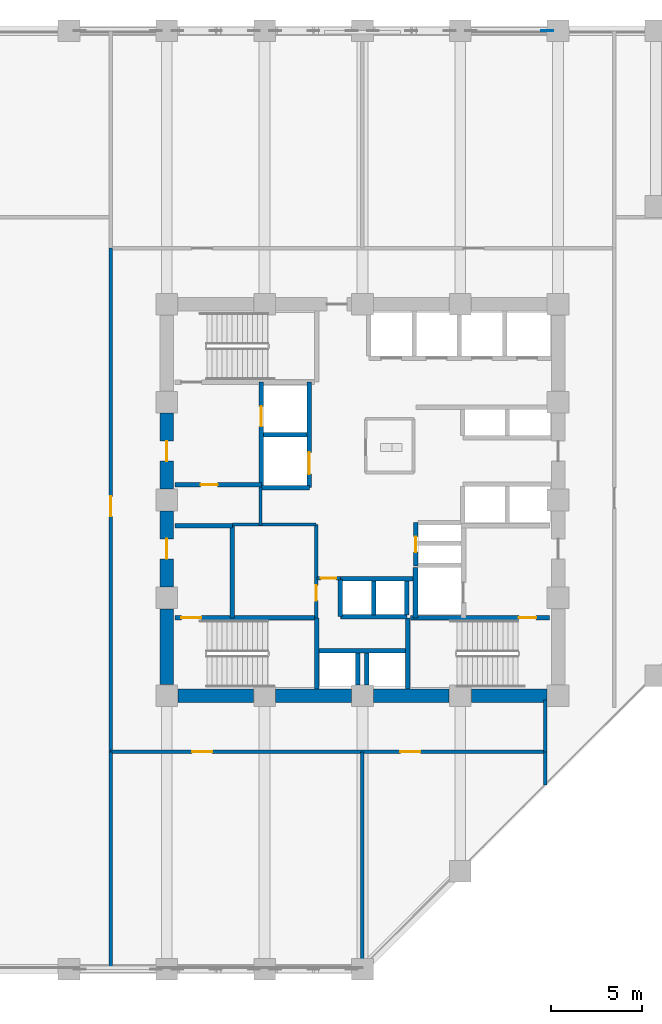
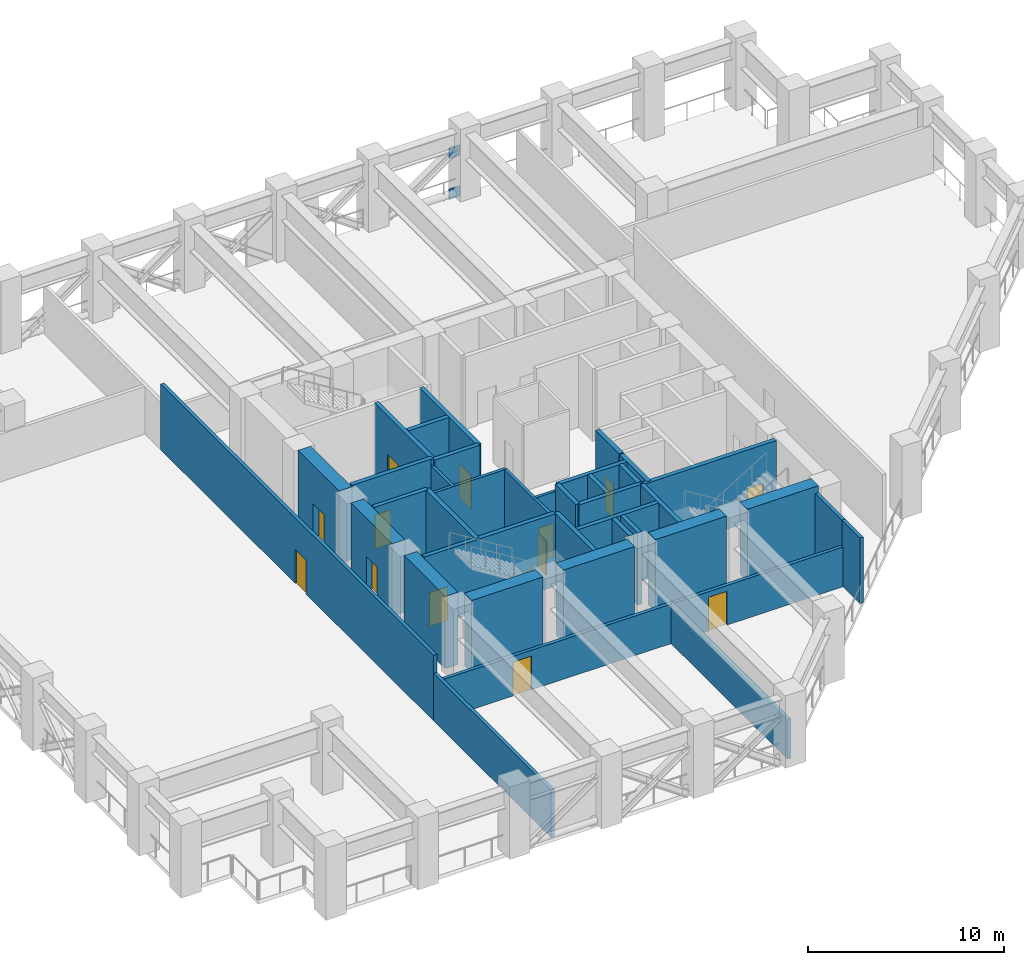
# One storey, part 4 of 12: 38 walls, 13 doors, 2 plates, 13 openings.
"""IFC4 building model written with IfcOpenShell, lengths in metres."""

import ifcopenshell
import ifcopenshell.guid

model = None  # the IFC model being written
_history = None  # IfcOwnerHistory: only IFC2X3 demands one
_inside = {}  # id of a spatial element -> (the spatial element, [elements in it])
_under = {}  # id of a project, library or spatial element -> (it, [spatial elements below it])
_declared = {}  # id of a project -> (the project, [libraries it declares])
_typed = {}  # id of a type object -> (the type object, [elements of that type])
_made_of = {}  # id of a material, layer set ... -> (it, [elements and type objects made of it])


def new_model(schema):
    """Start an empty IFC model of exactly this schema.

    Asked for "IFC4X3", IfcOpenShell would pick the latest addendum, in which some entities
    have other attributes; the version numbers below select the first issue.
    IFC2X3 requires an IfcOwnerHistory on every rooted entity: one is made here for all.
    """
    global model, _history
    if schema == "IFC4X3":
        model = ifcopenshell.file(schema_version=(4, 3, 0, 0))
    else:
        model = ifcopenshell.file(schema=schema)
    _inside.clear()
    _under.clear()
    _declared.clear()
    _typed.clear()
    _made_of.clear()
    _history = None
    if model.schema == "IFC2X3":
        org = make("IfcOrganization", Name="unknown")
        user = make(
            "IfcPersonAndOrganization",
            ThePerson=make("IfcPerson", FamilyName="unknown"),
            TheOrganization=org,
        )
        app = make(
            "IfcApplication",
            ApplicationDeveloper=org,
            Version="unknown",
            ApplicationFullName="unknown",
            ApplicationIdentifier="unknown",
        )
        _history = make(
            "IfcOwnerHistory",
            OwningUser=user,
            OwningApplication=app,
            ChangeAction="ADDED",
            CreationDate=0,
        )
    return model


def make(cls, **values):
    """One entity of the class cls with the attributes given. An attribute that is None is left unset."""
    return model.create_entity(
        cls, **{name: value for name, value in values.items() if value is not None}
    )


def rooted(cls, **values):
    """An entity with a GlobalId (a new one), such as an element, a storey or a relation."""
    return make(cls, GlobalId=ifcopenshell.guid.new(), OwnerHistory=_history, **values)


def si_unit(unit_type, name, prefix=None):
    """IfcSIUnit, for example si_unit("LENGTHUNIT", "METRE", prefix="MILLI")."""
    return make("IfcSIUnit", UnitType=unit_type, Prefix=prefix, Name=name)


def assignment(units):
    """IfcUnitAssignment: the units of a project."""
    return None if units is None else make("IfcUnitAssignment", Units=units)


def point(xyz):
    """IfcCartesianPoint."""
    return None if xyz is None else make("IfcCartesianPoint", Coordinates=xyz)


def direction(xyz):
    """IfcDirection."""
    return None if xyz is None else make("IfcDirection", DirectionRatios=xyz)


def frame(location, z_axis=None, x_axis=None):
    """IfcAxis2Placement3D, a coordinate frame: its origin and axes. An axis left out is left unset."""
    return make(
        "IfcAxis2Placement3D",
        Location=point(location),
        Axis=direction(z_axis),
        RefDirection=direction(x_axis),
    )


def frame_2d(location, x_axis=None):
    """IfcAxis2Placement2D, a coordinate frame in the plane: its origin and x axis."""
    return make(
        "IfcAxis2Placement2D", Location=point(location), RefDirection=direction(x_axis)
    )


def origin():
    """The frame at (0, 0, 0) with its axes left unset."""
    return frame((0.0, 0.0, 0.0))


def origin_2d():
    """The frame at (0, 0) in the plane with its x axis left unset."""
    return frame_2d((0.0, 0.0))


def place(relative_to, where):
    """IfcLocalPlacement: puts the frame where relative to a parent placement (None: the world)."""
    return make(
        "IfcLocalPlacement", PlacementRelTo=relative_to, RelativePlacement=where
    )


def context(
    kind, dimensions, precision=None, world=None, true_north=None, identifier=None
):
    """IfcGeometricRepresentationContext, for example the 3D "Model" context."""
    return make(
        "IfcGeometricRepresentationContext",
        ContextIdentifier=identifier,
        ContextType=kind,
        CoordinateSpaceDimension=dimensions,
        Precision=precision,
        WorldCoordinateSystem=world,
        TrueNorth=true_north,
    )


def subcontext(parent, identifier, kind, view, scale=None):
    """IfcGeometricRepresentationSubContext, for example "Body" below "Model"."""
    return make(
        "IfcGeometricRepresentationSubContext",
        ContextIdentifier=identifier,
        ContextType=kind,
        ParentContext=parent,
        TargetScale=scale,
        TargetView=view,
    )


def project(units=None, contexts=None):
    """IfcProject with its units and contexts."""
    return rooted(
        "IfcProject",
        Name="project",
        RepresentationContexts=contexts,
        UnitsInContext=assignment(units),
    )


def spatial(cls, under=None, at=None, **own):
    """A site, building, storey or space (cls), placed at a placement, below another one or the project."""
    s = rooted(cls, ObjectPlacement=at, **own)
    if under is not None:
        _under.setdefault(under.id(), (under, []))[1].append(s)
    return s


def profile(cls, at=None, kind="AREA", **sizes):
    """A parametric profile (cls). Its sizes go by their IFC names, for example OverallWidth=200.0."""
    return make(cls, ProfileType=kind, Position=at, **sizes)


def rectangle(**sizes):
    """IfcRectangleProfileDef."""
    return profile("IfcRectangleProfileDef", **sizes)


def extrude(swept, where, along, depth):
    """IfcExtrudedAreaSolid: the profile swept, set in the frame where, extruded along a direction by depth."""
    return make(
        "IfcExtrudedAreaSolid",
        SweptArea=swept,
        Position=where,
        ExtrudedDirection=direction(along),
        Depth=depth,
    )


def shape(context_of_items, identifier, shape_type, items):
    """IfcShapeRepresentation: the items that make up one representation, for example the "Body"."""
    return make(
        "IfcShapeRepresentation",
        ContextOfItems=context_of_items,
        RepresentationIdentifier=identifier,
        RepresentationType=shape_type,
        Items=items,
    )


def material(Name=None, Category=None):
    """IfcMaterial."""
    return make("IfcMaterial", Name=Name, Category=Category)


def layer(
    of_material, thickness, ventilated=None, Name=None, Category=None, Priority=None
):
    """IfcMaterialLayer: one layer of a wall or slab, of a material (None: an air gap)."""
    return make(
        "IfcMaterialLayer",
        Material=of_material,
        LayerThickness=thickness,
        IsVentilated=ventilated,
        Name=Name,
        Category=Category,
        Priority=Priority,
    )


def layer_set(layers, Name=None):
    """IfcMaterialLayerSet."""
    return make("IfcMaterialLayerSet", MaterialLayers=layers, LayerSetName=Name)


def made_of(thing, what):
    """Note that an element or type object is made of a material, layer set ...; save() writes the relation."""
    if what is not None:
        _made_of.setdefault(what.id(), (what, []))[1].append(thing)
    return thing


def type_object(cls, material=None, **own):
    """A type object (cls), such as IfcWallType, which elements share."""
    return made_of(rooted(cls, **own), material)


def element(
    cls,
    number,
    at=None,
    inside=None,
    cuts=None,
    type_object=None,
    material=None,
    context=None,
    identifier="Body",
    shape_type=None,
    held_by="IfcProductDefinitionShape",
    body=None,
    shapes=None,
    **own,
):
    """One element of the class cls, such as IfcWall. Its Tag is "e" and its number.

    at: its placement. inside: the storey or other place that contains it. cuts: it is an
    opening in that element (IfcRelVoidsElement). A single representation is given by context,
    identifier, shape_type and body (its items); several are given by shapes. held_by: the class
    of the entity that holds the representations. save() writes the other relations.
    """
    e = rooted(cls, Tag="e%d" % number, ObjectPlacement=at, **own)
    if body is not None:
        shapes = [shape(context, identifier, shape_type, body)]
    if shapes is not None:
        e.Representation = make(held_by, Representations=shapes)
    if inside is not None:
        _inside.setdefault(inside.id(), (inside, []))[1].append(e)
    if cuts is not None:
        rooted(
            "IfcRelVoidsElement", RelatingBuildingElement=cuts, RelatedOpeningElement=e
        )
    if type_object is not None:
        _typed.setdefault(type_object.id(), (type_object, []))[1].append(e)
    return made_of(e, material)


def fill(opening, filler):
    """IfcRelFillsElement: the door or window that sits in an opening."""
    return rooted(
        "IfcRelFillsElement",
        RelatingOpeningElement=opening,
        RelatedBuildingElement=filler,
    )


def aggregate(whole, parts):
    """IfcRelAggregates: a whole, such as a stair, and the parts it consists of."""
    return rooted("IfcRelAggregates", RelatingObject=whole, RelatedObjects=parts)


def save(model, path):
    """Write the relations noted so far, then the file.

    IfcRelAggregates (storeys below a building ...), IfcRelContainedInSpatialStructure (elements
    in a storey), IfcRelDefinesByType, IfcRelAssociatesMaterial and IfcRelDeclares: one each for
    every whole, place, type object, material and project.
    """
    for whole, parts in _under.values():
        aggregate(whole, parts)
    for where, things in _inside.values():
        rooted(
            "IfcRelContainedInSpatialStructure",
            RelatedElements=things,
            RelatingStructure=where,
        )
    for kind, things in _typed.values():
        rooted("IfcRelDefinesByType", RelatedObjects=things, RelatingType=kind)
    for what, things in _made_of.values():
        rooted("IfcRelAssociatesMaterial", RelatedObjects=things, RelatingMaterial=what)
    for by, libraries in _declared.values():
        rooted("IfcRelDeclares", RelatingContext=by, RelatedDefinitions=libraries)
    model.write(path)


model = new_model("IFC4")

# Units and contexts
model_context = context("Model", 3, precision=1e-05, world=origin(), true_north=direction((0.0, 1.0)))
body_context = subcontext(model_context, "Body", "Model", "MODEL_VIEW")
ifc_project = project(units=[si_unit("LENGTHUNIT", "METRE"), si_unit("AREAUNIT", "SQUARE_METRE"), si_unit("VOLUMEUNIT", "CUBIC_METRE"), si_unit("PLANEANGLEUNIT", "RADIAN"), si_unit("MASSUNIT", "GRAM", prefix="KILO")], contexts=[model_context])

# Site, building, storey
site_placement = place(None, origin())
site = spatial("IfcSite", under=ifc_project, at=site_placement, CompositionType="ELEMENT")
building_placement = place(site_placement, origin())
building = spatial("IfcBuilding", under=site, at=building_placement, Name="Surkhivell Harbour Commons", CompositionType="ELEMENT")
storey_placement = place(building_placement, frame((0.0, 0.0, 78.75)))
storey = spatial("IfcBuildingStorey", under=building, at=storey_placement, Name="L20", CompositionType="ELEMENT", Elevation=78.75)

# Plates
ifc_material_1 = material(Name="Steel S460", Category="steel")
ifc_layer_1 = layer(ifc_material_1, 0.044921875)
ifc_layer_set_1 = layer_set([ifc_layer_1], Name="Steel S460")
plate_type = type_object("IfcPlateType", Name="PLT-GUS-650", PredefinedType="USERDEFINED", material=ifc_layer_set_1)
for number, where, z_axis, x_axis, name in (
    (1, (10.201904296875, 25.89990234375, -0.094970703125), (0.0, 0.0, 1.0), (1.0, 0.0, 0.0), "L20 Outrigger Node Gusset Plate GP-04-2"),
    (2, (10.201904296875, 25.89990234375, 2.441162109375), (0.0, 0.0, 1.0), (1.0, 0.0, 0.0), "L20 Outrigger Top Gusset Plate GP-04-3"),
):
    element("IfcPlate", number, at=place(storey_placement, frame(where, z_axis=z_axis, x_axis=x_axis)), inside=storey, type_object=plate_type, Name=name, ObjectType="GUSSET_PLATE", PredefinedType="USERDEFINED", context=body_context, shape_type="SweptSolid", body=[
        extrude(rectangle(XDim=0.64990234375, YDim=0.044921875, at=origin_2d()), origin(), (0.0, 0.0, 1.0), 0.64990234375),
    ])

# Walls
ifc_material_2 = material(Name="Concrete C60/75", Category="concrete")
ifc_layer_2 = layer(ifc_material_2, 0.75)
ifc_layer_set_2 = layer_set([ifc_layer_2], Name="Concrete C60/75")
wall_type_1 = type_object("IfcWallType", Name="WAL-CORE-750", PredefinedType="SHEAR", material=ifc_layer_set_2)
for number, where, z_axis, x_axis, name in (
    (3, (-10.18994140625, -10.800048828125, 0.0), (0.0, 0.0, 1.0), (1.0, 0.0, 0.0), "L20 Core Shear Wall South 1"),
    (4, (-10.800048828125, -10.18994140625, 0.0), (0.0, 0.0, 1.0), (0.0, 1.0, 0.0), "L20 Core Shear Wall West 1"),
    (5, (-4.7900390625, -10.800048828125, 0.0), (0.0, 0.0, 1.0), (1.0, 0.0, 0.0), "L20 Core Shear Wall South 2"),
):
    element("IfcWall", number, at=place(storey_placement, frame(where, z_axis=z_axis, x_axis=x_axis)), inside=storey, type_object=wall_type_1, Name=name, PredefinedType="SHEAR", context=body_context, shape_type="SweptSolid", body=[
        extrude(rectangle(XDim=4.179931640625, YDim=0.75, at=frame_2d((2.08984375, 0.0))), origin(), (0.0, 0.0, 1.0), 4.5),
    ])

# Wall, opening, door
wall_1_placement = place(storey_placement, frame((-10.800048828125, -4.7900390625, 0.0), z_axis=(0.0, 0.0, 1.0), x_axis=(0.0, 1.0, 0.0)))
wall_1 = element("IfcWall", 6, at=wall_1_placement, inside=storey, type_object=wall_type_1, Name="L20 Core Shear Wall West 2", PredefinedType="SHEAR", context=body_context, shape_type="SweptSolid", body=[
    extrude(rectangle(XDim=4.179931640625, YDim=0.75, at=frame_2d((2.08984375, 0.0))), origin(), (0.0, 0.0, 1.0), 4.5),
])
opening_1_placement = place(wall_1_placement, frame((1.5400390625, 0.0, 0.0)))
opening_1 = element("IfcOpeningElement", 7, at=opening_1_placement, cuts=wall_1, Name="Opening ID-2", PredefinedType="OPENING", context=body_context, shape_type="SweptSolid", body=[
    extrude(rectangle(XDim=1.10009765625, YDim=2.10009765625, at=frame_2d((0.550048828125, 1.050048828125))), frame((0.0, 0.385009765625, 0.0), z_axis=(0.0, -1.0, 0.0), x_axis=(1.0, 0.0, 0.0)), (0.0, 0.0, 1.0), 0.77001953125),
])
ifc_material_3 = material(Name="Hardwood-veneered fire-rated door leaf", Category="wood")
door_type_1 = type_object("IfcDoorType", Name="DOR-FD60-1100", OperationType="NOTDEFINED", PredefinedType="DOOR", material=ifc_material_3)
door_1_placement = place(opening_1_placement, origin())
door_1 = element("IfcDoor", 8, at=door_1_placement, inside=storey, type_object=door_type_1, Name="L20 Stair 3 Lobby Corridor Door", OperationType="SINGLE_SWING_LEFT", OverallHeight=2.10009765625, OverallWidth=1.10009765625, PredefinedType="DOOR", context=body_context, shape_type="SweptSolid", body=[
    extrude(rectangle(XDim=1.10009765625, YDim=2.10009765625, at=frame_2d((0.550048828125, 1.050048828125))), frame((0.0, 0.02490234375, 0.0), z_axis=(0.0, -1.0, 0.0), x_axis=(1.0, 0.0, 0.0)), (0.0, 0.0, 1.0), 0.050048828125),
])
fill(opening_1, door_1)

# Wall
wall_2_placement = place(storey_placement, frame((0.610107421875, -10.800048828125, 0.0), z_axis=(0.0, 0.0, 1.0), x_axis=(1.0, 0.0, 0.0)))
element("IfcWall", 9, at=wall_2_placement, inside=storey, type_object=wall_type_1, Name="L20 Core Shear Wall South 3", PredefinedType="SHEAR", context=body_context, shape_type="SweptSolid", body=[
    extrude(rectangle(XDim=4.179931640625, YDim=0.75, at=frame_2d((2.08984375, 0.0))), origin(), (0.0, 0.0, 1.0), 4.5),
])

# Wall, opening, door
wall_3_placement = place(storey_placement, frame((-10.800048828125, 0.610107421875, 0.0), z_axis=(0.0, 0.0, 1.0), x_axis=(0.0, 1.0, 0.0)))
wall_3 = element("IfcWall", 10, at=wall_3_placement, inside=storey, type_object=wall_type_1, Name="L20 Core Shear Wall West 3", PredefinedType="SHEAR", context=body_context, shape_type="SweptSolid", body=[
    extrude(rectangle(XDim=4.179931640625, YDim=0.75, at=frame_2d((2.08984375, 0.0))), origin(), (0.0, 0.0, 1.0), 4.5),
])
opening_2_placement = place(wall_3_placement, frame((1.5400390625, 0.0, 0.0)))
opening_2 = element("IfcOpeningElement", 11, at=opening_2_placement, cuts=wall_3, Name="Opening ID-1", PredefinedType="OPENING", context=body_context, shape_type="SweptSolid", body=[
    extrude(rectangle(XDim=1.10009765625, YDim=2.10009765625, at=frame_2d((0.550048828125, 1.050048828125))), frame((0.0, 0.385009765625, 0.0), z_axis=(0.0, -1.0, 0.0), x_axis=(1.0, 0.0, 0.0)), (0.0, 0.0, 1.0), 0.77001953125),
])
door_type_2 = type_object("IfcDoorType", Name="DOR-FD120-1100", OperationType="NOTDEFINED", PredefinedType="DOOR", material=ifc_material_3)
door_2_placement = place(opening_2_placement, origin())
door_2 = element("IfcDoor", 12, at=door_2_placement, inside=storey, type_object=door_type_2, Name="L20 Firefighting Lobby 1 Corridor Door", OperationType="SINGLE_SWING_LEFT", OverallHeight=2.10009765625, OverallWidth=1.10009765625, PredefinedType="DOOR", context=body_context, shape_type="SweptSolid", body=[
    extrude(rectangle(XDim=1.10009765625, YDim=2.10009765625, at=frame_2d((0.550048828125, 1.050048828125))), frame((0.0, 0.02490234375, 0.0), z_axis=(0.0, -1.0, 0.0), x_axis=(1.0, 0.0, 0.0)), (0.0, 0.0, 1.0), 0.050048828125),
])
fill(opening_2, door_2)

# Wall
wall_4_placement = place(storey_placement, frame((6.010009765625, -10.800048828125, 0.0), z_axis=(0.0, 0.0, 1.0), x_axis=(1.0, 0.0, 0.0)))
element("IfcWall", 13, at=wall_4_placement, inside=storey, type_object=wall_type_1, Name="L20 Core Shear Wall South 4", PredefinedType="SHEAR", context=body_context, shape_type="SweptSolid", body=[
    extrude(rectangle(XDim=4.179931640625, YDim=0.75, at=frame_2d((2.08984375, 0.0))), origin(), (0.0, 0.0, 1.0), 4.5),
])

# Wall, opening, door
ifc_material_4 = material(Name="High-density acoustic blockwork fire partition", Category="masonry")
ifc_layer_3 = layer(ifc_material_4, 0.175048828125)
ifc_layer_set_3 = layer_set([ifc_layer_3], Name="High-density acoustic blockwork fire partition")
wall_type_2 = type_object("IfcWallType", Name="WAL-INT-175", PredefinedType="PARTITIONING", material=ifc_layer_set_3)
wall_5_placement = place(storey_placement, frame((-2.550048828125, -6.510009765625, 0.0), z_axis=(0.0, 0.0, 1.0), x_axis=(0.0, 1.0, 0.0)))
wall_5 = element("IfcWall", 14, at=wall_5_placement, inside=storey, type_object=wall_type_2, Name="L20 Core Service Bay East Wall", PredefinedType="PARTITIONING", context=body_context, shape_type="SweptSolid", body=[
    extrude(rectangle(XDim=5.159912109375, YDim=0.175048828125, at=frame_2d((2.580078125, 0.0))), origin(), (0.0, 0.0, 1.0), 4.080078125),
])
opening_3_placement = place(wall_5_placement, frame((0.949951171875, 0.0, 0.0)))
opening_3 = element("IfcOpeningElement", 15, at=opening_3_placement, cuts=wall_5, Name="Opening ID-6", PredefinedType="OPENING", context=body_context, shape_type="SweptSolid", body=[
    extrude(rectangle(XDim=0.85009765625, YDim=2.10009765625, at=frame_2d((0.425048828125, 1.050048828125))), frame((0.0, 0.097412109375, 0.0), z_axis=(0.0, -1.0, 0.0), x_axis=(1.0, 0.0, 0.0)), (0.0, 0.0, 1.0), 0.195068359375),
])
door_type_3 = type_object("IfcDoorType", Name="DOR-FD30-850", OperationType="NOTDEFINED", PredefinedType="DOOR", material=ifc_material_3)
door_3_placement = place(opening_3_placement, origin())
door_3 = element("IfcDoor", 16, at=door_3_placement, inside=storey, type_object=door_type_3, Name="L20 Core Metering Door", OperationType="SINGLE_SWING_LEFT", OverallHeight=2.10009765625, OverallWidth=0.85009765625, PredefinedType="DOOR", context=body_context, shape_type="SweptSolid", body=[
    extrude(rectangle(XDim=0.85009765625, YDim=2.10009765625, at=frame_2d((0.425048828125, 1.050048828125))), frame((0.0, 0.02490234375, 0.0), z_axis=(0.0, -1.0, 0.0), x_axis=(1.0, 0.0, 0.0)), (0.0, 0.0, 1.0), 0.050048828125),
])
fill(opening_3, door_3)

# Walls
wall_6_placement = place(storey_placement, frame((-7.179931640625, -1.35009765625, 0.0), z_axis=(0.0, 0.0, 1.0), x_axis=(1.0, 0.0, 0.0)))
element("IfcWall", 17, at=wall_6_placement, inside=storey, type_object=wall_type_2, Name="L20 Core Service Bay North Wall", PredefinedType="PARTITIONING", context=body_context, shape_type="SweptSolid", body=[
    extrude(rectangle(XDim=4.6298828125, YDim=0.175048828125, at=frame_2d((2.31494140625, 0.0))), origin(), (0.0, 0.0, 1.0), 4.080078125),
])
wall_7_placement = place(storey_placement, frame((-5.6201171875, -1.419921875, 0.0), z_axis=(0.0, 0.0, 1.0), x_axis=(0.0, 1.0, 0.0)))
element("IfcWall", 18, at=wall_7_placement, inside=storey, type_object=wall_type_2, Name="L20 West Core Bay East Wall", PredefinedType="PARTITIONING", context=body_context, shape_type="SweptSolid", body=[
    extrude(rectangle(XDim=2.139892578125, YDim=0.175048828125, at=frame_2d((1.06982421875, 0.0))), origin(), (0.0, 0.0, 1.0), 4.080078125),
])

# Wall, opening, door
wall_8_placement = place(storey_placement, frame((-2.52001953125, -4.320068359375, 0.0), z_axis=(0.0, 0.0, 1.0), x_axis=(1.0, 0.0, 0.0)))
wall_8 = element("IfcWall", 19, at=wall_8_placement, inside=storey, type_object=wall_type_2, Name="L20 High-Rise Lobby North Portal Wall", PredefinedType="PARTITIONING", context=body_context, shape_type="SweptSolid", body=[
    extrude(rectangle(XDim=1.300048828125, YDim=0.175048828125, at=frame_2d((0.64990234375, 0.0))), origin(), (0.0, 0.0, 1.0), 4.080078125),
])
opening_4_placement = place(wall_8_placement, frame((0.219970703125, 0.0, 0.0)))
opening_4 = element("IfcOpeningElement", 20, at=opening_4_placement, cuts=wall_8, Name="Opening ID-6", PredefinedType="OPENING", context=body_context, shape_type="SweptSolid", body=[
    extrude(rectangle(XDim=0.85009765625, YDim=2.10009765625, at=frame_2d((0.425048828125, 1.050048828125))), frame((0.0, 0.097412109375, 0.0), z_axis=(0.0, -1.0, 0.0), x_axis=(1.0, 0.0, 0.0)), (0.0, 0.0, 1.0), 0.195068359375),
])
door_4_placement = place(opening_4_placement, origin())
door_4 = element("IfcDoor", 21, at=door_4_placement, inside=storey, type_object=door_type_3, Name="L20 High-Rise Lift Lobby North Door", OperationType="SINGLE_SWING_LEFT", OverallHeight=2.10009765625, OverallWidth=0.85009765625, PredefinedType="DOOR", context=body_context, shape_type="SweptSolid", body=[
    extrude(rectangle(XDim=0.85009765625, YDim=2.10009765625, at=frame_2d((0.425048828125, 1.050048828125))), frame((0.0, 0.02490234375, 0.0), z_axis=(0.0, -1.0, 0.0), x_axis=(1.0, 0.0, 0.0)), (0.0, 0.0, 1.0), 0.050048828125),
])
fill(opening_4, door_4)

# Wall
ifc_material_5 = material(Name="Autoclaved aerated concrete blockwork and fire plaster", Category="masonry")
ifc_layer_4 = layer(ifc_material_5, 0.199951171875)
ifc_layer_set_4 = layer_set([ifc_layer_4], Name="Autoclaved aerated concrete blockwork and fire plaster")
wall_type_3 = type_object("IfcWallType", Name="WAL-INT-200", PredefinedType="PARTITIONING", material=ifc_layer_set_4)
wall_9_placement = place(storey_placement, frame((0.0, -25.843505859375, 0.0), z_axis=(0.0, 0.0, 1.0), x_axis=(0.0, 1.0, 0.0)))
element("IfcWall", 22, at=wall_9_placement, inside=storey, type_object=wall_type_3, Name="L20 Refuge South Plant Divider", PredefinedType="PARTITIONING", context=body_context, shape_type="SweptSolid", body=[
    extrude(rectangle(XDim=11.943603515625, YDim=0.199951171875, at=frame_2d((5.9716796875, 0.0))), origin(), (0.0, 0.0, 1.0), 2.4599609375),
])

# Wall, openings, doors
wall_10_placement = place(storey_placement, frame((-13.89990234375, -13.89990234375, 0.0), z_axis=(0.0, 0.0, 1.0), x_axis=(1.0, 0.0, 0.0)))
wall_10 = element("IfcWall", 23, at=wall_10_placement, inside=storey, type_object=wall_type_3, Name="L20 Corridor South Wall", PredefinedType="PARTITIONING", context=body_context, shape_type="SweptSolid", body=[
    extrude(rectangle(XDim=24.0, YDim=0.199951171875, at=frame_2d((12.0, 0.0))), origin(), (0.0, 0.0, 1.0), 2.4599609375),
])
opening_5_placement = place(wall_10_placement, frame((4.5, 0.0, 0.0)))
opening_5 = element("IfcOpeningElement", 24, at=opening_5_placement, cuts=wall_10, Name="Opening ID-2", PredefinedType="OPENING", context=body_context, shape_type="SweptSolid", body=[
    extrude(rectangle(XDim=1.10009765625, YDim=2.10009765625, at=frame_2d((0.550048828125, 1.050048828125))), frame((0.0, 0.10986328125, 0.0), z_axis=(0.0, -1.0, 0.0), x_axis=(1.0, 0.0, 0.0)), (0.0, 0.0, 1.0), 0.219970703125),
])
opening_6_placement = place(wall_10_placement, frame((16.0, 0.0, 0.0)))
opening_6 = element("IfcOpeningElement", 25, at=opening_6_placement, cuts=wall_10, Name="Opening ID-2", PredefinedType="OPENING", context=body_context, shape_type="SweptSolid", body=[
    extrude(rectangle(XDim=1.10009765625, YDim=2.10009765625, at=frame_2d((0.550048828125, 1.050048828125))), frame((0.0, 0.10986328125, 0.0), z_axis=(0.0, -1.0, 0.0), x_axis=(1.0, 0.0, 0.0)), (0.0, 0.0, 1.0), 0.219970703125),
])
door_5_placement = place(opening_5_placement, origin())
door_5 = element("IfcDoor", 26, at=door_5_placement, inside=storey, type_object=door_type_1, Name="L20 Transfer Fire and Potable Booster Pump Room Door", OperationType="SINGLE_SWING_RIGHT", OverallHeight=2.10009765625, OverallWidth=1.10009765625, PredefinedType="DOOR", context=body_context, shape_type="SweptSolid", body=[
    extrude(rectangle(XDim=1.10009765625, YDim=2.10009765625, at=frame_2d((0.550048828125, 1.050048828125))), frame((0.0, 0.02490234375, 0.0), z_axis=(0.0, -1.0, 0.0), x_axis=(1.0, 0.0, 0.0)), (0.0, 0.0, 1.0), 0.050048828125),
])
fill(opening_5, door_5)
door_6_placement = place(opening_6_placement, origin())
door_6 = element("IfcDoor", 27, at=door_6_placement, inside=storey, type_object=door_type_1, Name="L20 Zone Electrical Switchgear Plant Room Door", OperationType="SINGLE_SWING_LEFT", OverallHeight=2.10009765625, OverallWidth=1.10009765625, PredefinedType="DOOR", context=body_context, shape_type="SweptSolid", body=[
    extrude(rectangle(XDim=1.10009765625, YDim=2.10009765625, at=frame_2d((0.550048828125, 1.050048828125))), frame((0.0, 0.02490234375, 0.0), z_axis=(0.0, -1.0, 0.0), x_axis=(1.0, 0.0, 0.0)), (0.0, 0.0, 1.0), 0.050048828125),
])
fill(opening_6, door_6)

# Walls
wall_11_placement = place(storey_placement, frame((10.10009765625, -15.743408203125, 0.0), z_axis=(0.0, 0.0, 1.0), x_axis=(0.0, 1.0, 0.0)))
element("IfcWall", 28, at=wall_11_placement, inside=storey, type_object=wall_type_3, Name="L20 Corner SE Divider", PredefinedType="PARTITIONING", context=body_context, shape_type="SweptSolid", body=[
    extrude(rectangle(XDim=1.843505859375, YDim=0.199951171875, at=frame_2d((0.921875, 0.0))), origin(), (0.0, 0.0, 1.0), 4.080078125),
])
wall_12_placement = place(storey_placement, frame((-13.89990234375, -25.860107421875, 0.0), z_axis=(0.0, 0.0, 1.0), x_axis=(0.0, 1.0, 0.0)))
element("IfcWall", 29, at=wall_12_placement, inside=storey, type_object=wall_type_3, Name="L20 Corner SW Divider", PredefinedType="PARTITIONING", context=body_context, shape_type="SweptSolid", body=[
    extrude(rectangle(XDim=11.960205078125, YDim=0.199951171875, at=frame_2d((5.97998046875, 0.0))), origin(), (0.0, 0.0, 1.0), 2.9599609375),
])

# Wall, opening, door
wall_13_placement = place(storey_placement, frame((-13.89990234375, -13.89990234375, 0.0), z_axis=(0.0, 0.0, 1.0), x_axis=(0.0, 1.0, 0.0)))
wall_13 = element("IfcWall", 30, at=wall_13_placement, inside=storey, type_object=wall_type_3, Name="L20 Corridor West Wall", PredefinedType="PARTITIONING", context=body_context, shape_type="SweptSolid", body=[
    extrude(rectangle(XDim=27.7998046875, YDim=0.199951171875, at=frame_2d((13.89990234375, 0.0))), origin(), (0.0, 0.0, 1.0), 4.080078125),
])
opening_7_placement = place(wall_13_placement, frame((13.0, 0.0, 0.0)))
opening_7 = element("IfcOpeningElement", 31, at=opening_7_placement, cuts=wall_13, Name="Opening ID-2", PredefinedType="OPENING", context=body_context, shape_type="SweptSolid", body=[
    extrude(rectangle(XDim=1.10009765625, YDim=2.10009765625, at=frame_2d((0.550048828125, 1.050048828125))), frame((0.0, 0.10986328125, 0.0), z_axis=(0.0, -1.0, 0.0), x_axis=(1.0, 0.0, 0.0)), (0.0, 0.0, 1.0), 0.219970703125),
])
door_7_placement = place(opening_7_placement, origin())
door_7 = element("IfcDoor", 32, at=door_7_placement, inside=storey, type_object=door_type_1, Name="L20 West Open Refuge Area Door", OperationType="SINGLE_SWING_RIGHT", OverallHeight=2.10009765625, OverallWidth=1.10009765625, PredefinedType="DOOR", context=body_context, shape_type="SweptSolid", body=[
    extrude(rectangle(XDim=1.10009765625, YDim=2.10009765625, at=frame_2d((0.550048828125, 1.050048828125))), frame((0.0, 0.02490234375, 0.0), z_axis=(0.0, -1.0, 0.0), x_axis=(1.0, 0.0, 0.0)), (0.0, 0.0, 1.0), 0.050048828125),
])
fill(opening_7, door_7)

# Wall
wall_14_placement = place(storey_placement, frame((10.10009765625, -13.89990234375, 0.0), z_axis=(0.0, 0.0, 1.0), x_axis=(0.0, 1.0, 0.0)))
element("IfcWall", 33, at=wall_14_placement, inside=storey, type_object=wall_type_3, Name="L20 Corridor SE Closure Wall", PredefinedType="PARTITIONING", context=body_context, shape_type="SweptSolid", body=[
    extrude(rectangle(XDim=2.85986328125, YDim=0.199951171875, at=frame_2d((1.429931640625, 0.0))), origin(), (0.0, 0.0, 1.0), 4.080078125),
])

# Wall, opening, door
ifc_material_6 = material(Name="Concrete C50/60", Category="concrete")
ifc_layer_5 = layer(ifc_material_6, 0.25)
ifc_layer_set_5 = layer_set([ifc_layer_5], Name="Concrete C50/60")
wall_type_4 = type_object("IfcWallType", Name="WAL-SHAFT-250", PredefinedType="SHEAR", material=ifc_layer_set_5)
wall_15_placement = place(storey_placement, frame((-5.580078125, 0.719970703125, 0.0), z_axis=(0.0, 0.0, 1.0), x_axis=(0.0, 1.0, 0.0)))
wall_15 = element("IfcWall", 34, at=wall_15_placement, inside=storey, type_object=wall_type_4, Name="L20 Firefighting Lobby 1 East Shaft Wall", PredefinedType="SHEAR", context=body_context, shape_type="SweptSolid", body=[
    extrude(rectangle(XDim=5.7900390625, YDim=0.25, at=frame_2d((2.89501953125, 0.0))), origin(), (0.0, 0.0, 1.0), 4.5),
])
opening_8_placement = place(wall_15_placement, frame((3.35009765625, 0.0, 0.0)))
opening_8 = element("IfcOpeningElement", 35, at=opening_8_placement, cuts=wall_15, Name="Opening LD-1", PredefinedType="OPENING", context=body_context, shape_type="SweptSolid", body=[
    extrude(rectangle(XDim=1.10009765625, YDim=2.10009765625, at=frame_2d((0.550048828125, 1.050048828125))), frame((0.0, 0.135009765625, 0.0), z_axis=(0.0, -1.0, 0.0), x_axis=(1.0, 0.0, 0.0)), (0.0, 0.0, 1.0), 0.27001953125),
])
ifc_material_7 = material(Name="Brushed stainless steel S355", Category="steel")
door_type_4 = type_object("IfcDoorType", Name="DOR-LD-1100", OperationType="SLIDING_TO_LEFT", PredefinedType="DOOR", material=ifc_material_7)
door_8_placement = place(opening_8_placement, origin())
door_8 = element("IfcDoor", 36, at=door_8_placement, inside=storey, type_object=door_type_4, Name="L20 Lift Landing Door LD-FFL1", OperationType="SLIDING_TO_LEFT", OverallHeight=2.10009765625, OverallWidth=1.10009765625, PredefinedType="DOOR", context=body_context, shape_type="SweptSolid", body=[
    extrude(rectangle(XDim=1.10009765625, YDim=2.10009765625, at=frame_2d((0.550048828125, 1.050048828125))), frame((0.0, 0.02490234375, 0.0), z_axis=(0.0, -1.0, 0.0), x_axis=(1.0, 0.0, 0.0)), (0.0, 0.0, 1.0), 0.050048828125),
])
fill(opening_8, door_8)

wall_16_placement = place(storey_placement, frame((-10.340087890625, 0.85009765625, 0.0), z_axis=(0.0, 0.0, 1.0), x_axis=(1.0, 0.0, 0.0)))
wall_16 = element("IfcWall", 37, at=wall_16_placement, inside=storey, type_object=wall_type_4, Name="L20 Firefighting Lobby 1 South Wall", PredefinedType="SHEAR", context=body_context, shape_type="SweptSolid", body=[
    extrude(rectangle(XDim=4.760009765625, YDim=0.25, at=frame_2d((2.3798828125, 0.0))), origin(), (0.0, 0.0, 1.0), 4.5),
])
opening_9_placement = place(wall_16_placement, frame((1.39990234375, 0.0, 0.0)))
opening_9 = element("IfcOpeningElement", 38, at=opening_9_placement, cuts=wall_16, Name="Opening ID-4", PredefinedType="OPENING", context=body_context, shape_type="SweptSolid", body=[
    extrude(rectangle(XDim=0.949951171875, YDim=2.10009765625, at=frame_2d((0.47509765625, 1.050048828125))), frame((0.0, 0.135009765625, 0.0), z_axis=(0.0, -1.0, 0.0), x_axis=(1.0, 0.0, 0.0)), (0.0, 0.0, 1.0), 0.27001953125),
])
door_type_5 = type_object("IfcDoorType", Name="DOR-FD60-950", OperationType="NOTDEFINED", PredefinedType="DOOR", material=ifc_material_3)
door_9_placement = place(opening_9_placement, origin())
door_9 = element("IfcDoor", 39, at=door_9_placement, inside=storey, type_object=door_type_5, Name="L20 Core BMS Room Door", OperationType="SINGLE_SWING_RIGHT", OverallHeight=2.10009765625, OverallWidth=0.949951171875, PredefinedType="DOOR", context=body_context, shape_type="SweptSolid", body=[
    extrude(rectangle(XDim=0.949951171875, YDim=2.10009765625, at=frame_2d((0.47509765625, 1.050048828125))), frame((0.0, 0.02490234375, 0.0), z_axis=(0.0, -1.0, 0.0), x_axis=(1.0, 0.0, 0.0)), (0.0, 0.0, 1.0), 0.050048828125),
])
fill(opening_9, door_9)

# Walls
wall_17_placement = place(storey_placement, frame((2.929931640625, -6.510009765625, 0.0), z_axis=(0.0, 0.0, 1.0), x_axis=(0.0, 1.0, 0.0)))
element("IfcWall", 40, at=wall_17_placement, inside=storey, type_object=wall_type_4, Name="L20 FFL2 West Shaft Wall", PredefinedType="SHEAR", context=body_context, shape_type="SweptSolid", body=[
    extrude(rectangle(XDim=2.7900390625, YDim=0.25, at=frame_2d((1.39501953125, 0.0))), origin(), (0.0, 0.0, 1.0), 4.5),
])
for number, where, z_axis, x_axis, name in (
    (41, (0.6201171875, -6.340087890625, 0.0), (0.0, 0.0, 1.0), (0.0, 1.0, 0.0), "L20 High-Rise Side Wall N"),
    (42, (2.449951171875, -6.340087890625, 0.0), (0.0, 0.0, 1.0), (0.0, 1.0, 0.0), "L20 High-Rise Side Wall N"),
):
    element("IfcWall", number, at=place(storey_placement, frame(where, z_axis=z_axis, x_axis=x_axis)), inside=storey, type_object=wall_type_4, Name=name, PredefinedType="SHEAR", context=body_context, shape_type="SweptSolid", body=[
        extrude(rectangle(XDim=1.880126953125, YDim=0.25, at=frame_2d((0.93994140625, 0.0))), origin(), (0.0, 0.0, 1.0), 4.5),
    ])
for number, where, z_axis, x_axis, name in (
    (43, (-0.25, -10.199951171875, 0.0), (0.0, 0.0, 1.0), (0.0, 1.0, 0.0), "L20 High-Rise Side Wall S"),
    (44, (0.25, -10.199951171875, 0.0), (0.0, 0.0, 1.0), (0.0, 1.0, 0.0), "L20 High-Rise Side Wall S"),
):
    element("IfcWall", number, at=place(storey_placement, frame(where, z_axis=z_axis, x_axis=x_axis)), inside=storey, type_object=wall_type_4, Name=name, PredefinedType="SHEAR", context=body_context, shape_type="SweptSolid", body=[
        extrude(rectangle(XDim=1.760009765625, YDim=0.25, at=frame_2d((0.8798828125, 0.0))), origin(), (0.0, 0.0, 1.0), 4.5),
    ])
wall_18_placement = place(storey_placement, frame((-1.219970703125, -6.43994140625, 0.0), z_axis=(0.0, 0.0, 1.0), x_axis=(0.0, 1.0, 0.0)))
element("IfcWall", 45, at=wall_18_placement, inside=storey, type_object=wall_type_4, Name="L20 High-Rise Passage East Shaft Wall", PredefinedType="SHEAR", context=body_context, shape_type="SweptSolid", body=[
    extrude(rectangle(XDim=2.079833984375, YDim=0.25, at=frame_2d((1.0400390625, 0.0))), origin(), (0.0, 0.0, 1.0), 4.5),
])
wall_19_placement = place(storey_placement, frame((-1.219970703125, -6.43994140625, 0.0), z_axis=(0.0, 0.0, 1.0), x_axis=(1.0, 0.0, 0.0)))
element("IfcWall", 46, at=wall_19_placement, inside=storey, type_object=wall_type_4, Name="L20 High-Rise North Front Shaft Wall", PredefinedType="SHEAR", context=body_context, shape_type="SweptSolid", body=[
    extrude(rectangle(XDim=3.669921875, YDim=0.25, at=frame_2d((1.8349609375, 0.0))), origin(), (0.0, 0.0, 1.0), 4.5),
])
wall_20_placement = place(storey_placement, frame((-2.47998046875, -8.320068359375, 0.0), z_axis=(0.0, 0.0, 1.0), x_axis=(1.0, 0.0, 0.0)))
element("IfcWall", 47, at=wall_20_placement, inside=storey, type_object=wall_type_4, Name="L20 High-Rise South Front Shaft Wall", PredefinedType="SHEAR", context=body_context, shape_type="SweptSolid", body=[
    extrude(rectangle(XDim=4.929931640625, YDim=0.25, at=frame_2d((2.46484375, 0.0))), origin(), (0.0, 0.0, 1.0), 4.5),
])
wall_21_placement = place(storey_placement, frame((-1.219970703125, -4.360107421875, 0.0), z_axis=(0.0, 0.0, 1.0), x_axis=(1.0, 0.0, 0.0)))
element("IfcWall", 48, at=wall_21_placement, inside=storey, type_object=wall_type_4, Name="L20 High-Rise North Back Shaft Wall", PredefinedType="SHEAR", context=body_context, shape_type="SweptSolid", body=[
    extrude(rectangle(XDim=4.030029296875, YDim=0.25, at=frame_2d((2.01513671875, 0.0))), origin(), (0.0, 0.0, 1.0), 4.5),
])

# Wall, opening, door
wall_22_placement = place(storey_placement, frame((2.949951171875, -3.64990234375, 0.0), z_axis=(0.0, 0.0, 1.0), x_axis=(0.0, 1.0, 0.0)))
wall_22 = element("IfcWall", 49, at=wall_22_placement, inside=storey, type_object=wall_type_4, Name="L20 Riser Shaft West Wall", PredefinedType="SHEAR", context=body_context, shape_type="SweptSolid", body=[
    extrude(rectangle(XDim=2.39990234375, YDim=0.25, at=frame_2d((1.199951171875, 0.0))), origin(), (0.0, 0.0, 1.0), 4.5),
])
opening_10_placement = place(wall_22_placement, frame((0.77490234375, 0.0, 0.0)))
opening_10 = element("IfcOpeningElement", 50, at=opening_10_placement, cuts=wall_22, Name="Opening ID-6", PredefinedType="OPENING", context=body_context, shape_type="SweptSolid", body=[
    extrude(rectangle(XDim=0.85009765625, YDim=2.10009765625, at=frame_2d((0.425048828125, 1.050048828125))), frame((0.0, 0.135009765625, 0.0), z_axis=(0.0, -1.0, 0.0), x_axis=(1.0, 0.0, 0.0)), (0.0, 0.0, 1.0), 0.27001953125),
])
door_10_placement = place(opening_10_placement, origin())
door_10 = element("IfcDoor", 51, at=door_10_placement, inside=storey, type_object=door_type_3, Name="L20 Electrical Riser Access Door", OperationType="SINGLE_SWING_LEFT", OverallHeight=2.10009765625, OverallWidth=0.85009765625, PredefinedType="DOOR", context=body_context, shape_type="SweptSolid", body=[
    extrude(rectangle(XDim=0.85009765625, YDim=2.10009765625, at=frame_2d((0.425048828125, 1.050048828125))), frame((0.0, 0.02490234375, 0.0), z_axis=(0.0, -1.0, 0.0), x_axis=(1.0, 0.0, 0.0)), (0.0, 0.0, 1.0), 0.050048828125),
])
fill(opening_10, door_10)

wall_23_placement = place(storey_placement, frame((2.639892578125, -6.510009765625, 0.0), z_axis=(0.0, 0.0, 1.0), x_axis=(1.0, 0.0, 0.0)))
wall_23 = element("IfcWall", 52, at=wall_23_placement, inside=storey, type_object=wall_type_4, Name="L20 Stair ST2 North Shear Wall", PredefinedType="SHEAR", context=body_context, shape_type="SweptSolid", body=[
    extrude(rectangle(XDim=7.7001953125, YDim=0.25, at=frame_2d((3.85009765625, 0.0))), origin(), (0.0, 0.0, 1.0), 4.5),
])
opening_11_placement = place(wall_23_placement, frame((6.0, 0.0, 0.0)))
opening_11 = element("IfcOpeningElement", 53, at=opening_11_placement, cuts=wall_23, Name="Opening ID-4", PredefinedType="OPENING", context=body_context, shape_type="SweptSolid", body=[
    extrude(rectangle(XDim=0.949951171875, YDim=2.10009765625, at=frame_2d((0.47509765625, 1.050048828125))), frame((0.0, 0.135009765625, 0.0), z_axis=(0.0, -1.0, 0.0), x_axis=(1.0, 0.0, 0.0)), (0.0, 0.0, 1.0), 0.27001953125),
])
door_11_placement = place(opening_11_placement, origin())
door_11 = element("IfcDoor", 54, at=door_11_placement, inside=storey, type_object=door_type_5, Name="L20 Stair ST2 Exit Door", OperationType="SINGLE_SWING_RIGHT", OverallHeight=2.10009765625, OverallWidth=0.949951171875, PredefinedType="DOOR", context=body_context, shape_type="SweptSolid", body=[
    extrude(rectangle(XDim=0.949951171875, YDim=2.10009765625, at=frame_2d((0.47509765625, 1.050048828125))), frame((0.0, 0.02490234375, 0.0), z_axis=(0.0, -1.0, 0.0), x_axis=(1.0, 0.0, 0.0)), (0.0, 0.0, 1.0), 0.050048828125),
])
fill(opening_11, door_11)

# Walls
for number, where, z_axis, x_axis, name in (
    (55, (2.510009765625, -10.425048828125, 0.0), (0.0, 0.0, 1.0), (0.0, 1.0, 0.0), "L20 Stair ST2 West Shear Wall"),
    (56, (-2.510009765625, -10.425048828125, 0.0), (0.0, 0.0, 1.0), (0.0, 1.0, 0.0), "L20 Stair ST3 East Shear Wall"),
):
    element("IfcWall", number, at=place(storey_placement, frame(where, z_axis=z_axis, x_axis=x_axis)), inside=storey, type_object=wall_type_4, Name=name, PredefinedType="SHEAR", context=body_context, shape_type="SweptSolid", body=[
        extrude(rectangle(XDim=3.9150390625, YDim=0.25, at=frame_2d((1.95751953125, 0.0))), origin(), (0.0, 0.0, 1.0), 4.5),
    ])
wall_24_placement = place(storey_placement, frame((-7.179931640625, -6.510009765625, 0.0), z_axis=(0.0, 0.0, 1.0), x_axis=(0.0, 1.0, 0.0)))
element("IfcWall", 57, at=wall_24_placement, inside=storey, type_object=wall_type_4, Name="L20 Stair 3 Lobby East Wall", PredefinedType="SHEAR", context=body_context, shape_type="SweptSolid", body=[
    extrude(rectangle(XDim=5.090087890625, YDim=0.25, at=frame_2d((2.544921875, 0.0))), origin(), (0.0, 0.0, 1.0), 4.5),
])
wall_25_placement = place(storey_placement, frame((-10.340087890625, -1.419921875, 0.0), z_axis=(0.0, 0.0, 1.0), x_axis=(1.0, 0.0, 0.0)))
element("IfcWall", 58, at=wall_25_placement, inside=storey, type_object=wall_type_4, Name="L20 Stair 3 Lobby North Wall", PredefinedType="SHEAR", context=body_context, shape_type="SweptSolid", body=[
    extrude(rectangle(XDim=3.16015625, YDim=0.25, at=frame_2d((1.580078125, 0.0))), origin(), (0.0, 0.0, 1.0), 4.5),
])

# Wall, opening, door
wall_26_placement = place(storey_placement, frame((-10.340087890625, -6.510009765625, 0.0), z_axis=(0.0, 0.0, 1.0), x_axis=(1.0, 0.0, 0.0)))
wall_26 = element("IfcWall", 59, at=wall_26_placement, inside=storey, type_object=wall_type_4, Name="L20 Stair ST3 North Shear Wall", PredefinedType="SHEAR", context=body_context, shape_type="SweptSolid", body=[
    extrude(rectangle(XDim=7.7001953125, YDim=0.25, at=frame_2d((3.85009765625, 0.0))), origin(), (0.0, 0.0, 1.0), 4.5),
])
opening_12_placement = place(wall_26_placement, frame((0.35009765625, 0.0, 0.0)))
opening_12 = element("IfcOpeningElement", 60, at=opening_12_placement, cuts=wall_26, Name="Opening ID-2", PredefinedType="OPENING", context=body_context, shape_type="SweptSolid", body=[
    extrude(rectangle(XDim=1.10009765625, YDim=2.10009765625, at=frame_2d((0.550048828125, 1.050048828125))), frame((0.0, 0.135009765625, 0.0), z_axis=(0.0, -1.0, 0.0), x_axis=(1.0, 0.0, 0.0)), (0.0, 0.0, 1.0), 0.27001953125),
])
door_12_placement = place(opening_12_placement, origin())
door_12 = element("IfcDoor", 61, at=door_12_placement, inside=storey, type_object=door_type_1, Name="L20 Stair ST3 Exit Door", OperationType="SINGLE_SWING_RIGHT", OverallHeight=2.10009765625, OverallWidth=1.10009765625, PredefinedType="DOOR", context=body_context, shape_type="SweptSolid", body=[
    extrude(rectangle(XDim=1.10009765625, YDim=2.10009765625, at=frame_2d((0.550048828125, 1.050048828125))), frame((0.0, 0.02490234375, 0.0), z_axis=(0.0, -1.0, 0.0), x_axis=(1.0, 0.0, 0.0)), (0.0, 0.0, 1.0), 0.050048828125),
])
fill(opening_12, door_12)

wall_27_placement = place(storey_placement, frame((-2.929931640625, 0.679931640625, 0.0), z_axis=(0.0, 0.0, 1.0), x_axis=(0.0, 1.0, 0.0)))
wall_27 = element("IfcWall", 62, at=wall_27_placement, inside=storey, type_object=wall_type_4, Name="L20 Service and Fire Lift East Shaft Wall", PredefinedType="SHEAR", context=body_context, shape_type="SweptSolid", body=[
    extrude(rectangle(XDim=5.830078125, YDim=0.25, at=frame_2d((2.9150390625, 0.0))), origin(), (0.0, 0.0, 1.0), 4.5),
])
opening_13_placement = place(wall_27_placement, frame((0.75, 0.0, 0.0)))
opening_13 = element("IfcOpeningElement", 63, at=opening_13_placement, cuts=wall_27, Name="Opening LD-2", PredefinedType="OPENING", context=body_context, shape_type="SweptSolid", body=[
    extrude(rectangle(XDim=1.199951171875, YDim=2.10009765625, at=frame_2d((0.60009765625, 1.050048828125))), frame((0.0, 0.135009765625, 0.0), z_axis=(0.0, -1.0, 0.0), x_axis=(1.0, 0.0, 0.0)), (0.0, 0.0, 1.0), 0.27001953125),
])
door_type_6 = type_object("IfcDoorType", Name="DOR-LD-1200", OperationType="SLIDING_TO_LEFT", PredefinedType="DOOR", material=ifc_material_7)
door_13_placement = place(opening_13_placement, origin())
door_13 = element("IfcDoor", 64, at=door_13_placement, inside=storey, type_object=door_type_6, Name="L20 Lift Landing Door LD-SVL1", OperationType="SLIDING_TO_LEFT", OverallHeight=2.10009765625, OverallWidth=1.199951171875, PredefinedType="DOOR", context=body_context, shape_type="SweptSolid", body=[
    extrude(rectangle(XDim=1.199951171875, YDim=2.10009765625, at=frame_2d((0.60009765625, 1.050048828125))), frame((0.0, 0.02490234375, 0.0), z_axis=(0.0, -1.0, 0.0), x_axis=(1.0, 0.0, 0.0)), (0.0, 0.0, 1.0), 0.050048828125),
])
fill(opening_13, door_13)

# Walls
wall_28_placement = place(storey_placement, frame((-5.449951171875, 3.60009765625, 0.0), z_axis=(0.0, 0.0, 1.0), x_axis=(1.0, 0.0, 0.0)))
element("IfcWall", 65, at=wall_28_placement, inside=storey, type_object=wall_type_4, Name="L20 FFL1/SVL1 Shaft Divider", PredefinedType="SHEAR", context=body_context, shape_type="SweptSolid", body=[
    extrude(rectangle(XDim=2.389892578125, YDim=0.25, at=frame_2d((1.19482421875, 0.0))), origin(), (0.0, 0.0, 1.0), 4.5),
])
wall_29_placement = place(storey_placement, frame((-5.580078125, 0.679931640625, 0.0), z_axis=(0.0, 0.0, 1.0), x_axis=(1.0, 0.0, 0.0)))
element("IfcWall", 66, at=wall_29_placement, inside=storey, type_object=wall_type_4, Name="L20 SVL1 South Shaft Wall", PredefinedType="SHEAR", context=body_context, shape_type="SweptSolid", body=[
    extrude(rectangle(XDim=2.650146484375, YDim=0.25, at=frame_2d((1.3251953125, 0.0))), origin(), (0.0, 0.0, 1.0), 4.5),
])

save(model, "model.ifc")
